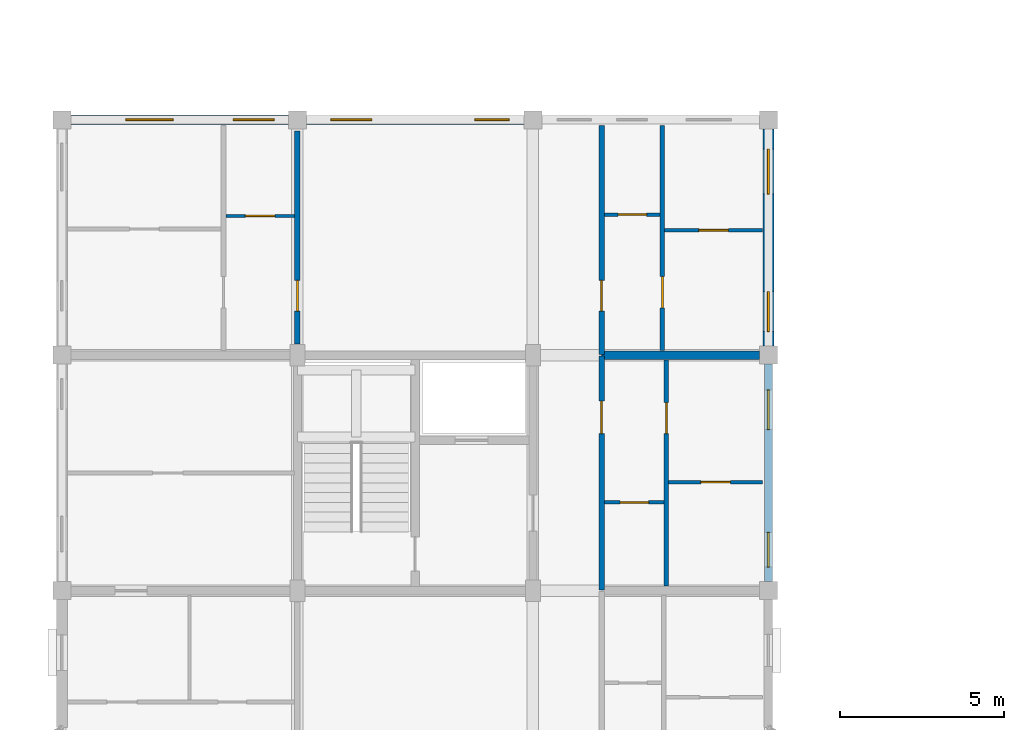
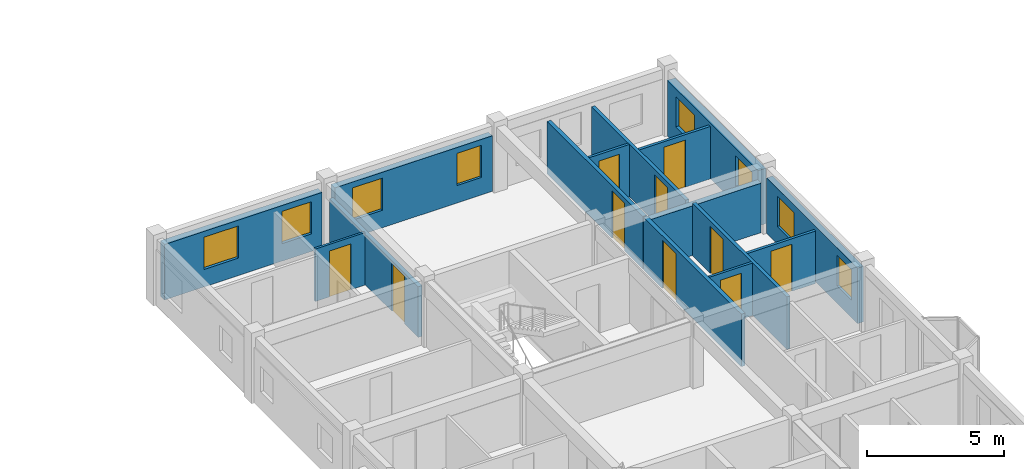
# One storey, part 58 of 77: 15 walls, 10 doors, 8 windows, 18 openings.
"""IFC4 building model written with IfcOpenShell, lengths in metres."""

from ifc_helpers import new_model, si_unit, direction, frame, frame_2d, origin, place, context, subcontext, project, spatial, rectangle, extrude, material, layer, layer_set, type_object, element, fill, save


model = new_model("IFC4")

# Units and contexts
model_context = context("Model", 3, precision=1e-05, world=origin(), true_north=direction((0.0, 1.0)))
body_context = subcontext(model_context, "Body", "Model", "MODEL_VIEW")
ifc_project = project(units=[si_unit("LENGTHUNIT", "METRE"), si_unit("AREAUNIT", "SQUARE_METRE"), si_unit("VOLUMEUNIT", "CUBIC_METRE"), si_unit("PLANEANGLEUNIT", "RADIAN"), si_unit("MASSUNIT", "GRAM", prefix="KILO"), si_unit("THERMODYNAMICTEMPERATUREUNIT", "KELVIN"), si_unit("POWERUNIT", "WATT")], contexts=[model_context])

# Site, building, storey
site_placement = place(None, origin())
site = spatial("IfcSite", under=ifc_project, at=site_placement, CompositionType="ELEMENT")
building_placement = place(site_placement, origin())
building = spatial("IfcBuilding", under=site, at=building_placement, Name="Tavuni Mirador Residences", CompositionType="ELEMENT")
storey_placement = place(building_placement, frame((0.0, 0.0, 10.800048828125)))
storey = spatial("IfcBuildingStorey", under=building, at=storey_placement, Name="L03", CompositionType="ELEMENT", Elevation=10.800048828125)

# Wall, opening, door
ifc_material_1 = material(Name="Precast concrete C40/50", Category="concrete")
ifc_layer_1 = layer(ifc_material_1, 0.1650390625, Name="Precast concrete C40/50", Category="concrete")
ifc_layer_set_1 = layer_set([ifc_layer_1], Name="Precast concrete C40/50")
wall_type_1 = type_object("IfcWallType", Name="WT-CORR165", PredefinedType="PARTITIONING", material=ifc_layer_set_1)
wall_1_placement = place(storey_placement, frame((20.10009765625, 86.419921875, 0.0), z_axis=(0.0, 0.0, 1.0), x_axis=(0.0, 1.0, 0.0)))
wall_1 = element("IfcWall", 1, at=wall_1_placement, inside=storey, type_object=wall_type_1, Name="CORW-BLK-B-L03-0-03", PredefinedType="PARTITIONING", context=body_context, shape_type="SweptSolid", body=[
    extrude(rectangle(XDim=7.16015625, YDim=0.1650390625, at=frame_2d((3.580078125, 0.0))), origin(), (0.0, 0.0, 1.0), 2.344970703125),
])
opening_1_placement = place(wall_1_placement, frame((4.780029296875, 0.0, 0.0)))
opening_1 = element("IfcOpeningElement", 2, at=opening_1_placement, cuts=wall_1, Name="Opening D-03", PredefinedType="OPENING", context=body_context, shape_type="SweptSolid", body=[
    extrude(rectangle(XDim=1.0, YDim=2.14990234375, at=frame_2d((0.5, 1.074951171875))), frame((0.0, 0.092529296875, 0.0), z_axis=(0.0, -1.0, 0.0), x_axis=(1.0, 0.0, 0.0)), (0.0, 0.0, 1.0), 0.18505859375),
])
ifc_material_2 = material(Name="Solid core iroko timber", Category="wood")
door_type_1 = type_object("IfcDoorType", Name="DT-FD60-1000", OperationType="NOTDEFINED", PredefinedType="DOOR", material=ifc_material_2)
door_1_placement = place(opening_1_placement, origin())
door_1 = element("IfcDoor", 3, at=door_1_placement, inside=storey, type_object=door_type_1, Name="DR-2556", OperationType="SINGLE_SWING_LEFT", OverallHeight=2.14990234375, OverallWidth=1.0, PredefinedType="DOOR", context=body_context, shape_type="SweptSolid", body=[
    extrude(rectangle(XDim=1.0, YDim=2.14990234375, at=frame_2d((0.5, 1.074951171875))), frame((0.0, 0.02490234375, 0.0), z_axis=(0.0, -1.0, 0.0), x_axis=(1.0, 0.0, 0.0)), (0.0, 0.0, 1.0), 0.050048828125),
])
fill(opening_1, door_1)

wall_2_placement = place(storey_placement, frame((20.10009765625, 93.6201171875, 0.0), z_axis=(0.0, 0.0, 1.0), x_axis=(0.0, 1.0, 0.0)))
wall_2 = element("IfcWall", 4, at=wall_2_placement, inside=storey, type_object=wall_type_1, Name="CORW-BLK-B-L03-0-04", PredefinedType="PARTITIONING", context=body_context, shape_type="SweptSolid", body=[
    extrude(rectangle(XDim=7.0048828125, YDim=0.1650390625, at=frame_2d((3.50244140625, 0.0))), origin(), (0.0, 0.0, 1.0), 2.344970703125),
])
opening_2_placement = place(wall_2_placement, frame((1.330078125, 0.0, 0.0)))
opening_2 = element("IfcOpeningElement", 5, at=opening_2_placement, cuts=wall_2, Name="Opening D-19", PredefinedType="OPENING", context=body_context, shape_type="SweptSolid", body=[
    extrude(rectangle(XDim=0.93994140625, YDim=2.1201171875, at=frame_2d((0.469970703125, 1.06005859375))), frame((0.0, 0.092529296875, 0.0), z_axis=(0.0, -1.0, 0.0), x_axis=(1.0, 0.0, 0.0)), (0.0, 0.0, 1.0), 0.18505859375),
])
door_type_2 = type_object("IfcDoorType", Name="DT-FD60-940", OperationType="NOTDEFINED", PredefinedType="DOOR", material=ifc_material_2)
door_2_placement = place(opening_2_placement, origin())
door_2 = element("IfcDoor", 6, at=door_2_placement, inside=storey, type_object=door_type_2, Name="DR-2557", OperationType="SINGLE_SWING_RIGHT", OverallHeight=2.1201171875, OverallWidth=0.93994140625, PredefinedType="DOOR", context=body_context, shape_type="SweptSolid", body=[
    extrude(rectangle(XDim=0.93994140625, YDim=2.1201171875, at=frame_2d((0.469970703125, 1.06005859375))), frame((0.0, 0.02490234375, 0.0), z_axis=(0.0, -1.0, 0.0), x_axis=(1.0, 0.0, 0.0)), (0.0, 0.0, 1.0), 0.050048828125),
])
fill(opening_2, door_2)

wall_3_placement = place(storey_placement, frame((10.800048828125, 93.949951171875, 0.0), z_axis=(0.0, 0.0, 1.0), x_axis=(0.0, 1.0, 0.0)))
wall_3 = element("IfcWall", 7, at=wall_3_placement, inside=storey, type_object=wall_type_1, Name="CORW-BLK-B-L03-1-04", PredefinedType="PARTITIONING", context=body_context, shape_type="SweptSolid", body=[
    extrude(rectangle(XDim=6.5, YDim=0.1650390625, at=frame_2d((3.25, 0.0))), origin(), (0.0, 0.0, 1.0), 2.260009765625),
])
opening_3_placement = place(wall_3_placement, frame((1.0, 0.0, 0.0)))
opening_3 = element("IfcOpeningElement", 8, at=opening_3_placement, cuts=wall_3, Name="Opening D-19", PredefinedType="OPENING", context=body_context, shape_type="SweptSolid", body=[
    extrude(rectangle(XDim=0.93994140625, YDim=2.1201171875, at=frame_2d((0.469970703125, 1.06005859375))), frame((0.0, 0.092529296875, 0.0), z_axis=(0.0, -1.0, 0.0), x_axis=(1.0, 0.0, 0.0)), (0.0, 0.0, 1.0), 0.18505859375),
])
door_3_placement = place(opening_3_placement, origin())
door_3 = element("IfcDoor", 9, at=door_3_placement, inside=storey, type_object=door_type_2, Name="DR-2560", OperationType="SINGLE_SWING_LEFT", OverallHeight=2.1201171875, OverallWidth=0.93994140625, PredefinedType="DOOR", context=body_context, shape_type="SweptSolid", body=[
    extrude(rectangle(XDim=0.93994140625, YDim=2.1201171875, at=frame_2d((0.469970703125, 1.06005859375))), frame((0.0, 0.02490234375, 0.0), z_axis=(0.0, -1.0, 0.0), x_axis=(1.0, 0.0, 0.0)), (0.0, 0.0, 1.0), 0.050048828125),
])
fill(opening_3, door_3)

# Wall, openings, windows
ifc_layer_2 = layer(ifc_material_1, 0.330078125, Name="Precast concrete C40/50", Category="concrete")
ifc_layer_set_2 = layer_set([ifc_layer_2], Name="Precast concrete C40/50")
wall_type_2 = type_object("IfcWallType", Name="WT-EXT-COR330", PredefinedType="SOLIDWALL", material=ifc_layer_set_2)
wall_4_placement = place(storey_placement, frame((25.199951171875, 93.875, 0.0), z_axis=(0.0, 0.0, 1.0), x_axis=(0.0, 1.0, 0.0)))
wall_4 = element("IfcWall", 10, at=wall_4_placement, inside=storey, type_object=wall_type_2, Name="EW-BLK-B-L03-E04", PredefinedType="SOLIDWALL", context=body_context, shape_type="SweptSolid", body=[
    extrude(rectangle(XDim=6.64990234375, YDim=0.330078125, at=frame_2d((3.324951171875, 0.0))), origin(), (0.0, 0.0, 1.0), 2.47998046875),
])
opening_4_placement = place(wall_4_placement, frame((0.449951171875, 0.0, 0.780029296875)))
opening_4 = element("IfcOpeningElement", 11, at=opening_4_placement, cuts=wall_4, Name="Opening WN-21", PredefinedType="OPENING", context=body_context, shape_type="SweptSolid", body=[
    extrude(rectangle(XDim=1.219970703125, YDim=1.360107421875, at=frame_2d((0.60986328125, 0.68017578125))), frame((0.0, 0.175048828125, 0.0), z_axis=(0.0, -1.0, 0.0), x_axis=(1.0, 0.0, 0.0)), (0.0, 0.0, 1.0), 0.35009765625),
])
opening_5_placement = place(wall_4_placement, frame((4.64990234375, 0.0, 0.780029296875)))
opening_5 = element("IfcOpeningElement", 12, at=opening_5_placement, cuts=wall_4, Name="Opening WN-23", PredefinedType="OPENING", context=body_context, shape_type="SweptSolid", body=[
    extrude(rectangle(XDim=1.3798828125, YDim=1.360107421875, at=frame_2d((0.68994140625, 0.68017578125))), frame((0.0, 0.175048828125, 0.0), z_axis=(0.0, -1.0, 0.0), x_axis=(1.0, 0.0, 0.0)), (0.0, 0.0, 1.0), 0.35009765625),
])
ifc_material_3 = material(Name="Laminated solar-control glass", Category="glass")
window_type_1 = type_object("IfcWindowType", Name="WNT-21", PartitioningType="SINGLE_PANEL", PredefinedType="WINDOW", material=ifc_material_3)
window_1_placement = place(opening_4_placement, origin())
window_1 = element("IfcWindow", 13, at=window_1_placement, inside=storey, type_object=window_type_1, Name="WIN-0647", OverallHeight=1.360107421875, OverallWidth=1.219970703125, PartitioningType="SINGLE_PANEL", PredefinedType="WINDOW", context=body_context, shape_type="SweptSolid", body=[
    extrude(rectangle(XDim=1.219970703125, YDim=1.360107421875, at=frame_2d((0.60986328125, 0.68017578125))), frame((0.0, 0.030029296875, 0.0), z_axis=(0.0, -1.0, 0.0), x_axis=(1.0, 0.0, 0.0)), (0.0, 0.0, 1.0), 0.06005859375),
])
fill(opening_4, window_1)
window_type_2 = type_object("IfcWindowType", Name="WNT-23", PartitioningType="SINGLE_PANEL", PredefinedType="WINDOW", material=ifc_material_3)
window_2_placement = place(opening_5_placement, origin())
window_2 = element("IfcWindow", 14, at=window_2_placement, inside=storey, type_object=window_type_2, Name="WIN-0648", OverallHeight=1.360107421875, OverallWidth=1.3798828125, PartitioningType="SINGLE_PANEL", PredefinedType="WINDOW", context=body_context, shape_type="SweptSolid", body=[
    extrude(rectangle(XDim=1.3798828125, YDim=1.360107421875, at=frame_2d((0.68994140625, 0.68017578125))), frame((0.0, 0.030029296875, 0.0), z_axis=(0.0, -1.0, 0.0), x_axis=(1.0, 0.0, 0.0)), (0.0, 0.0, 1.0), 0.06005859375),
])
fill(opening_5, window_2)

ifc_material_4 = material(Name="Sgraffito lime-rendered precast concrete C40/50", Category="concrete")
ifc_layer_3 = layer(ifc_material_4, 0.2451171875, Name="Sgraffito lime-rendered precast concrete C40/50", Category="concrete")
ifc_layer_set_3 = layer_set([ifc_layer_3], Name="Sgraffito lime-rendered precast concrete C40/50")
wall_type_3 = type_object("IfcWallType", Name="WT-EXT-PC245", PredefinedType="SOLIDWALL", material=ifc_layer_set_3)
wall_5_placement = place(storey_placement, frame((25.199951171875, 86.675048828125, 0.0), z_axis=(0.0, 0.0, 1.0), x_axis=(0.0, 1.0, 0.0)))
wall_5 = element("IfcWall", 15, at=wall_5_placement, inside=storey, type_object=wall_type_3, Name="EW-BLK-B-L03-E03", PredefinedType="SOLIDWALL", context=body_context, shape_type="SweptSolid", body=[
    extrude(rectangle(XDim=6.64990234375, YDim=0.2451171875, at=frame_2d((3.324951171875, 0.0))), origin(), (0.0, 0.0, 1.0), 2.47998046875),
])
opening_6_placement = place(wall_5_placement, frame((0.449951171875, 0.0, 0.780029296875)))
opening_6 = element("IfcOpeningElement", 16, at=opening_6_placement, cuts=wall_5, Name="Opening WN-19", PredefinedType="OPENING", context=body_context, shape_type="SweptSolid", body=[
    extrude(rectangle(XDim=1.06005859375, YDim=1.360107421875, at=frame_2d((0.530029296875, 0.68017578125))), frame((0.0, 0.132568359375, 0.0), z_axis=(0.0, -1.0, 0.0), x_axis=(1.0, 0.0, 0.0)), (0.0, 0.0, 1.0), 0.26513671875),
])
opening_7_placement = place(wall_5_placement, frame((4.64990234375, 0.0, 0.780029296875)))
opening_7 = element("IfcOpeningElement", 17, at=opening_7_placement, cuts=wall_5, Name="Opening WN-21", PredefinedType="OPENING", context=body_context, shape_type="SweptSolid", body=[
    extrude(rectangle(XDim=1.219970703125, YDim=1.360107421875, at=frame_2d((0.60986328125, 0.68017578125))), frame((0.0, 0.132568359375, 0.0), z_axis=(0.0, -1.0, 0.0), x_axis=(1.0, 0.0, 0.0)), (0.0, 0.0, 1.0), 0.26513671875),
])
window_type_3 = type_object("IfcWindowType", Name="WNT-19", PartitioningType="SINGLE_PANEL", PredefinedType="WINDOW", material=ifc_material_3)
window_3_placement = place(opening_6_placement, origin())
window_3 = element("IfcWindow", 18, at=window_3_placement, inside=storey, type_object=window_type_3, Name="WIN-0645", OverallHeight=1.360107421875, OverallWidth=1.06005859375, PartitioningType="SINGLE_PANEL", PredefinedType="WINDOW", context=body_context, shape_type="SweptSolid", body=[
    extrude(rectangle(XDim=1.06005859375, YDim=1.360107421875, at=frame_2d((0.530029296875, 0.68017578125))), frame((0.0, 0.030029296875, 0.0), z_axis=(0.0, -1.0, 0.0), x_axis=(1.0, 0.0, 0.0)), (0.0, 0.0, 1.0), 0.06005859375),
])
fill(opening_6, window_3)
window_4_placement = place(opening_7_placement, origin())
window_4 = element("IfcWindow", 19, at=window_4_placement, inside=storey, type_object=window_type_1, Name="WIN-0646", OverallHeight=1.360107421875, OverallWidth=1.219970703125, PartitioningType="SINGLE_PANEL", PredefinedType="WINDOW", context=body_context, shape_type="SweptSolid", body=[
    extrude(rectangle(XDim=1.219970703125, YDim=1.360107421875, at=frame_2d((0.60986328125, 0.68017578125))), frame((0.0, 0.030029296875, 0.0), z_axis=(0.0, -1.0, 0.0), x_axis=(1.0, 0.0, 0.0)), (0.0, 0.0, 1.0), 0.06005859375),
])
fill(opening_7, window_4)

ifc_layer_4 = layer(ifc_material_4, 0.27490234375, Name="Sgraffito lime-rendered precast concrete C40/50", Category="concrete")
ifc_layer_set_4 = layer_set([ifc_layer_4], Name="Sgraffito lime-rendered precast concrete C40/50")
wall_type_4 = type_object("IfcWallType", Name="WT-EXT-PC275", PredefinedType="SOLIDWALL", material=ifc_layer_set_4)
wall_6_placement = place(storey_placement, frame((17.72509765625, 100.800048828125, 0.0), z_axis=(0.0, 0.0, 1.0), x_axis=(-1.0, 0.0, 0.0)))
wall_6 = element("IfcWall", 20, at=wall_6_placement, inside=storey, type_object=wall_type_4, Name="EW-BLK-B-L03-N01", PredefinedType="SOLIDWALL", context=body_context, shape_type="SweptSolid", body=[
    extrude(rectangle(XDim=6.650146484375, YDim=0.27490234375, at=frame_2d((3.3251953125, 0.0))), origin(), (0.0, 0.0, 1.0), 2.47998046875),
])
opening_8_placement = place(wall_6_placement, frame((0.449951171875, 0.0, 0.780029296875)))
opening_8 = element("IfcOpeningElement", 21, at=opening_8_placement, cuts=wall_6, Name="Opening WN-26", PredefinedType="OPENING", context=body_context, shape_type="SweptSolid", body=[
    extrude(rectangle(XDim=1.050048828125, YDim=1.43994140625, at=frame_2d((0.52490234375, 0.719970703125))), frame((0.0, 0.1474609375, 0.0), z_axis=(0.0, -1.0, 0.0), x_axis=(1.0, 0.0, 0.0)), (0.0, 0.0, 1.0), 0.294921875),
])
opening_9_placement = place(wall_6_placement, frame((4.64990234375, 0.0, 0.780029296875)))
opening_9 = element("IfcOpeningElement", 22, at=opening_9_placement, cuts=wall_6, Name="Opening WN-28", PredefinedType="OPENING", context=body_context, shape_type="SweptSolid", body=[
    extrude(rectangle(XDim=1.25, YDim=1.43994140625, at=frame_2d((0.625, 0.719970703125))), frame((0.0, 0.1474609375, 0.0), z_axis=(0.0, -1.0, 0.0), x_axis=(1.0, 0.0, 0.0)), (0.0, 0.0, 1.0), 0.294921875),
])
window_type_4 = type_object("IfcWindowType", Name="WNT-26", PartitioningType="SINGLE_PANEL", PredefinedType="WINDOW", material=ifc_material_3)
window_5_placement = place(opening_8_placement, origin())
window_5 = element("IfcWindow", 23, at=window_5_placement, inside=storey, type_object=window_type_4, Name="WIN-0652", OverallHeight=1.43994140625, OverallWidth=1.050048828125, PartitioningType="SINGLE_PANEL", PredefinedType="WINDOW", context=body_context, shape_type="SweptSolid", body=[
    extrude(rectangle(XDim=1.050048828125, YDim=1.43994140625, at=frame_2d((0.52490234375, 0.719970703125))), frame((0.0, 0.030029296875, 0.0), z_axis=(0.0, -1.0, 0.0), x_axis=(1.0, 0.0, 0.0)), (0.0, 0.0, 1.0), 0.06005859375),
])
fill(opening_8, window_5)
window_type_5 = type_object("IfcWindowType", Name="WNT-28", PartitioningType="SINGLE_PANEL", PredefinedType="WINDOW", material=ifc_material_3)
window_6_placement = place(opening_9_placement, origin())
window_6 = element("IfcWindow", 24, at=window_6_placement, inside=storey, type_object=window_type_5, Name="WIN-0653", OverallHeight=1.43994140625, OverallWidth=1.25, PartitioningType="SINGLE_PANEL", PredefinedType="WINDOW", context=body_context, shape_type="SweptSolid", body=[
    extrude(rectangle(XDim=1.25, YDim=1.43994140625, at=frame_2d((0.625, 0.719970703125))), frame((0.0, 0.030029296875, 0.0), z_axis=(0.0, -1.0, 0.0), x_axis=(1.0, 0.0, 0.0)), (0.0, 0.0, 1.0), 0.06005859375),
])
fill(opening_9, window_6)

ifc_layer_5 = layer(ifc_material_4, 0.2900390625, Name="Sgraffito lime-rendered precast concrete C40/50", Category="concrete")
ifc_layer_set_5 = layer_set([ifc_layer_5], Name="Sgraffito lime-rendered precast concrete C40/50")
wall_type_5 = type_object("IfcWallType", Name="WT-EXT-PC290", PredefinedType="SOLIDWALL", material=ifc_layer_set_5)
wall_7_placement = place(storey_placement, frame((10.52490234375, 100.800048828125, 0.0), z_axis=(0.0, 0.0, 1.0), x_axis=(-1.0, 0.0, 0.0)))
wall_7 = element("IfcWall", 25, at=wall_7_placement, inside=storey, type_object=wall_type_5, Name="EW-BLK-B-L03-N00", PredefinedType="SOLIDWALL", context=body_context, shape_type="SweptSolid", body=[
    extrude(rectangle(XDim=6.64990234375, YDim=0.2900390625, at=frame_2d((3.324951171875, 0.0))), origin(), (0.0, 0.0, 1.0), 2.47998046875),
])
opening_10_placement = place(wall_7_placement, frame((0.4375, 0.0, 0.780029296875)))
opening_10 = element("IfcOpeningElement", 26, at=opening_10_placement, cuts=wall_7, Name="Opening WN-28", PredefinedType="OPENING", context=body_context, shape_type="SweptSolid", body=[
    extrude(rectangle(XDim=1.25, YDim=1.43994140625, at=frame_2d((0.625, 0.719970703125))), frame((0.0, 0.155029296875, 0.0), z_axis=(0.0, -1.0, 0.0), x_axis=(1.0, 0.0, 0.0)), (0.0, 0.0, 1.0), 0.31005859375),
])
opening_11_placement = place(wall_7_placement, frame((3.5224609375, 0.0, 0.780029296875)))
opening_11 = element("IfcOpeningElement", 27, at=opening_11_placement, cuts=wall_7, Name="Opening WN-30", PredefinedType="OPENING", context=body_context, shape_type="SweptSolid", body=[
    extrude(rectangle(XDim=1.449951171875, YDim=1.43994140625, at=frame_2d((0.72509765625, 0.719970703125))), frame((0.0, 0.155029296875, 0.0), z_axis=(0.0, -1.0, 0.0), x_axis=(1.0, 0.0, 0.0)), (0.0, 0.0, 1.0), 0.31005859375),
])
window_7_placement = place(opening_10_placement, origin())
window_7 = element("IfcWindow", 28, at=window_7_placement, inside=storey, type_object=window_type_5, Name="WIN-0654", OverallHeight=1.43994140625, OverallWidth=1.25, PartitioningType="SINGLE_PANEL", PredefinedType="WINDOW", context=body_context, shape_type="SweptSolid", body=[
    extrude(rectangle(XDim=1.25, YDim=1.43994140625, at=frame_2d((0.625, 0.719970703125))), frame((0.0, 0.030029296875, 0.0), z_axis=(0.0, -1.0, 0.0), x_axis=(1.0, 0.0, 0.0)), (0.0, 0.0, 1.0), 0.06005859375),
])
fill(opening_10, window_7)
window_type_6 = type_object("IfcWindowType", Name="WNT-30", PartitioningType="SINGLE_PANEL", PredefinedType="WINDOW", material=ifc_material_3)
window_8_placement = place(opening_11_placement, origin())
window_8 = element("IfcWindow", 29, at=window_8_placement, inside=storey, type_object=window_type_6, Name="WIN-0655", OverallHeight=1.43994140625, OverallWidth=1.449951171875, PartitioningType="SINGLE_PANEL", PredefinedType="WINDOW", context=body_context, shape_type="SweptSolid", body=[
    extrude(rectangle(XDim=1.449951171875, YDim=1.43994140625, at=frame_2d((0.72509765625, 0.719970703125))), frame((0.0, 0.030029296875, 0.0), z_axis=(0.0, -1.0, 0.0), x_axis=(1.0, 0.0, 0.0)), (0.0, 0.0, 1.0), 0.06005859375),
])
fill(opening_11, window_8)

# Wall, opening, door
ifc_material_5 = material(Name="Acoustic gypsum and concrete block partition", Category="concrete")
ifc_layer_6 = layer(ifc_material_5, 0.094970703125, Name="Acoustic gypsum and concrete block partition", Category="concrete")
ifc_layer_set_6 = layer_set([ifc_layer_6], Name="Acoustic gypsum and concrete block partition")
wall_type_6 = type_object("IfcWallType", Name="WT-PART095", PredefinedType="PARTITIONING", material=ifc_layer_set_6)
wall_8_placement = place(storey_placement, frame((8.610107421875, 97.860107421875, 0.0), z_axis=(0.0, 0.0, 1.0), x_axis=(1.0, 0.0, 0.0)))
wall_8 = element("IfcWall", 30, at=wall_8_placement, inside=storey, type_object=wall_type_6, Name="PW-BLK-B-L03-W04-IN1", PredefinedType="PARTITIONING", context=body_context, shape_type="SweptSolid", body=[
    extrude(rectangle(XDim=2.099853515625, YDim=0.094970703125, at=frame_2d((1.0498046875, 0.0))), origin(), (0.0, 0.0, 1.0), 2.344970703125),
])
opening_12_placement = place(wall_8_placement, frame((0.60009765625, 0.0, 0.0)))
opening_12 = element("IfcOpeningElement", 31, at=opening_12_placement, cuts=wall_8, Name="Opening D-09", PredefinedType="OPENING", context=body_context, shape_type="SweptSolid", body=[
    extrude(rectangle(XDim=0.89990234375, YDim=2.050048828125, at=frame_2d((0.449951171875, 1.02490234375))), frame((0.0, 0.0576171875, 0.0), z_axis=(0.0, -1.0, 0.0), x_axis=(1.0, 0.0, 0.0)), (0.0, 0.0, 1.0), 0.114990234375),
])
door_type_3 = type_object("IfcDoorType", Name="DT-WC900", OperationType="NOTDEFINED", PredefinedType="DOOR", material=ifc_material_2)
door_4_placement = place(opening_12_placement, origin())
door_4 = element("IfcDoor", 32, at=door_4_placement, inside=storey, type_object=door_type_3, Name="DR-3522", OperationType="SINGLE_SWING_RIGHT", OverallHeight=2.050048828125, OverallWidth=0.89990234375, PredefinedType="DOOR", context=body_context, shape_type="SweptSolid", body=[
    extrude(rectangle(XDim=0.89990234375, YDim=2.050048828125, at=frame_2d((0.449951171875, 1.02490234375))), frame((0.0, 0.02490234375, 0.0), z_axis=(0.0, -1.0, 0.0), x_axis=(1.0, 0.0, 0.0)), (0.0, 0.0, 1.0), 0.050048828125),
])
fill(opening_12, door_4)

ifc_layer_7 = layer(ifc_material_5, 0.10498046875, Name="Acoustic gypsum and concrete block partition", Category="concrete")
ifc_layer_set_7 = layer_set([ifc_layer_7], Name="Acoustic gypsum and concrete block partition")
wall_type_7 = type_object("IfcWallType", Name="WT-PART105", PredefinedType="PARTITIONING", material=ifc_layer_set_7)
wall_9_placement = place(storey_placement, frame((20.18994140625, 89.10009765625, 0.0), z_axis=(0.0, 0.0, 1.0), x_axis=(1.0, 0.0, 0.0)))
wall_9 = element("IfcWall", 33, at=wall_9_placement, inside=storey, type_object=wall_type_7, Name="PW-BLK-B-L03-E03-IN1", PredefinedType="PARTITIONING", context=body_context, shape_type="SweptSolid", body=[
    extrude(rectangle(XDim=1.820068359375, YDim=0.10498046875, at=frame_2d((0.91015625, 0.0))), origin(), (0.0, 0.0, 1.0), 2.344970703125),
])
opening_13_placement = place(wall_9_placement, frame((0.47509765625, 0.0, 0.0)))
opening_13 = element("IfcOpeningElement", 34, at=opening_13_placement, cuts=wall_9, Name="Opening D-10", PredefinedType="OPENING", context=body_context, shape_type="SweptSolid", body=[
    extrude(rectangle(XDim=0.8701171875, YDim=2.050048828125, at=frame_2d((0.43505859375, 1.02490234375))), frame((0.0, 0.0625, 0.0), z_axis=(0.0, -1.0, 0.0), x_axis=(1.0, 0.0, 0.0)), (0.0, 0.0, 1.0), 0.125),
])
door_type_4 = type_object("IfcDoorType", Name="DT-WC870", OperationType="NOTDEFINED", PredefinedType="DOOR", material=ifc_material_2)
door_5_placement = place(opening_13_placement, origin())
door_5 = element("IfcDoor", 35, at=door_5_placement, inside=storey, type_object=door_type_4, Name="DR-3519", OperationType="SINGLE_SWING_RIGHT", OverallHeight=2.050048828125, OverallWidth=0.8701171875, PredefinedType="DOOR", context=body_context, shape_type="SweptSolid", body=[
    extrude(rectangle(XDim=0.8701171875, YDim=2.050048828125, at=frame_2d((0.43505859375, 1.02490234375))), frame((0.0, 0.02490234375, 0.0), z_axis=(0.0, -1.0, 0.0), x_axis=(1.0, 0.0, 0.0)), (0.0, 0.0, 1.0), 0.050048828125),
])
fill(opening_13, door_5)

wall_10_placement = place(storey_placement, frame((20.18994140625, 97.89990234375, 0.0), z_axis=(0.0, 0.0, 1.0), x_axis=(1.0, 0.0, 0.0)))
wall_10 = element("IfcWall", 36, at=wall_10_placement, inside=storey, type_object=wall_type_7, Name="PW-BLK-B-L03-E04-IN1", PredefinedType="PARTITIONING", context=body_context, shape_type="SweptSolid", body=[
    extrude(rectangle(XDim=1.699951171875, YDim=0.10498046875, at=frame_2d((0.85009765625, 0.0))), origin(), (0.0, 0.0, 1.0), 2.344970703125),
])
opening_14_placement = place(wall_10_placement, frame((0.4150390625, 0.0, 0.0)))
opening_14 = element("IfcOpeningElement", 37, at=opening_14_placement, cuts=wall_10, Name="Opening D-10", PredefinedType="OPENING", context=body_context, shape_type="SweptSolid", body=[
    extrude(rectangle(XDim=0.8701171875, YDim=2.050048828125, at=frame_2d((0.43505859375, 1.02490234375))), frame((0.0, 0.0625, 0.0), z_axis=(0.0, -1.0, 0.0), x_axis=(1.0, 0.0, 0.0)), (0.0, 0.0, 1.0), 0.125),
])
door_6_placement = place(opening_14_placement, origin())
door_6 = element("IfcDoor", 38, at=door_6_placement, inside=storey, type_object=door_type_4, Name="DR-3525", OperationType="SINGLE_SWING_RIGHT", OverallHeight=2.050048828125, OverallWidth=0.8701171875, PredefinedType="DOOR", context=body_context, shape_type="SweptSolid", body=[
    extrude(rectangle(XDim=0.8701171875, YDim=2.050048828125, at=frame_2d((0.43505859375, 1.02490234375))), frame((0.0, 0.02490234375, 0.0), z_axis=(0.0, -1.0, 0.0), x_axis=(1.0, 0.0, 0.0)), (0.0, 0.0, 1.0), 0.050048828125),
])
fill(opening_14, door_6)

ifc_layer_8 = layer(ifc_material_5, 0.114990234375, Name="Acoustic gypsum and concrete block partition", Category="concrete")
ifc_layer_set_8 = layer_set([ifc_layer_8], Name="Acoustic gypsum and concrete block partition")
wall_type_8 = type_object("IfcWallType", Name="WT-PART115", PredefinedType="PARTITIONING", material=ifc_layer_set_8)
wall_11_placement = place(storey_placement, frame((22.14990234375, 89.719970703125, 0.0), z_axis=(0.0, 0.0, 1.0), x_axis=(1.0, 0.0, 0.0)))
wall_11 = element("IfcWall", 39, at=wall_11_placement, inside=storey, type_object=wall_type_8, Name="PW-BLK-B-L03-E03-OUT", PredefinedType="PARTITIONING", context=body_context, shape_type="SweptSolid", body=[
    extrude(rectangle(XDim=2.875, YDim=0.114990234375, at=frame_2d((1.4375, 0.0))), origin(), (0.0, 0.0, 1.0), 2.344970703125),
])
opening_15_placement = place(wall_11_placement, frame((0.987548828125, 0.0, 0.0)))
opening_15 = element("IfcOpeningElement", 40, at=opening_15_placement, cuts=wall_11, Name="Opening D-07", PredefinedType="OPENING", context=body_context, shape_type="SweptSolid", body=[
    extrude(rectangle(XDim=0.89990234375, YDim=2.10009765625, at=frame_2d((0.449951171875, 1.050048828125))), frame((0.0, 0.0673828125, 0.0), z_axis=(0.0, -1.0, 0.0), x_axis=(1.0, 0.0, 0.0)), (0.0, 0.0, 1.0), 0.135009765625),
])
door_type_5 = type_object("IfcDoorType", Name="DT-BED900", OperationType="NOTDEFINED", PredefinedType="DOOR", material=ifc_material_2)
door_7_placement = place(opening_15_placement, origin())
door_7 = element("IfcDoor", 41, at=door_7_placement, inside=storey, type_object=door_type_5, Name="DR-3518", OperationType="SINGLE_SWING_LEFT", OverallHeight=2.10009765625, OverallWidth=0.89990234375, PredefinedType="DOOR", context=body_context, shape_type="SweptSolid", body=[
    extrude(rectangle(XDim=0.89990234375, YDim=2.10009765625, at=frame_2d((0.449951171875, 1.050048828125))), frame((0.0, 0.02490234375, 0.0), z_axis=(0.0, -1.0, 0.0), x_axis=(1.0, 0.0, 0.0)), (0.0, 0.0, 1.0), 0.050048828125),
])
fill(opening_15, door_7)

wall_12_placement = place(storey_placement, frame((22.030029296875, 97.419921875, 0.0), z_axis=(0.0, 0.0, 1.0), x_axis=(1.0, 0.0, 0.0)))
wall_12 = element("IfcWall", 42, at=wall_12_placement, inside=storey, type_object=wall_type_8, Name="PW-BLK-B-L03-E04-OUT", PredefinedType="PARTITIONING", context=body_context, shape_type="SweptSolid", body=[
    extrude(rectangle(XDim=2.994873046875, YDim=0.114990234375, at=frame_2d((1.49755859375, 0.0))), origin(), (0.0, 0.0, 1.0), 2.344970703125),
])
opening_16_placement = place(wall_12_placement, frame((1.047607421875, 0.0, 0.0)))
opening_16 = element("IfcOpeningElement", 43, at=opening_16_placement, cuts=wall_12, Name="Opening D-07", PredefinedType="OPENING", context=body_context, shape_type="SweptSolid", body=[
    extrude(rectangle(XDim=0.89990234375, YDim=2.10009765625, at=frame_2d((0.449951171875, 1.050048828125))), frame((0.0, 0.0673828125, 0.0), z_axis=(0.0, -1.0, 0.0), x_axis=(1.0, 0.0, 0.0)), (0.0, 0.0, 1.0), 0.135009765625),
])
door_8_placement = place(opening_16_placement, origin())
door_8 = element("IfcDoor", 44, at=door_8_placement, inside=storey, type_object=door_type_5, Name="DR-3524", OperationType="SINGLE_SWING_LEFT", OverallHeight=2.10009765625, OverallWidth=0.89990234375, PredefinedType="DOOR", context=body_context, shape_type="SweptSolid", body=[
    extrude(rectangle(XDim=0.89990234375, YDim=2.10009765625, at=frame_2d((0.449951171875, 1.050048828125))), frame((0.0, 0.02490234375, 0.0), z_axis=(0.0, -1.0, 0.0), x_axis=(1.0, 0.0, 0.0)), (0.0, 0.0, 1.0), 0.050048828125),
])
fill(opening_16, door_8)

ifc_layer_9 = layer(ifc_material_5, 0.139892578125, Name="Acoustic gypsum and concrete block partition", Category="concrete")
ifc_layer_set_9 = layer_set([ifc_layer_9], Name="Acoustic gypsum and concrete block partition")
wall_type_9 = type_object("IfcWallType", Name="WT-PART140", PredefinedType="PARTITIONING", material=ifc_layer_set_9)
wall_13_placement = place(storey_placement, frame((22.080078125, 86.5400390625, 0.0), z_axis=(0.0, 0.0, 1.0), x_axis=(0.0, 1.0, 0.0)))
wall_13 = element("IfcWall", 45, at=wall_13_placement, inside=storey, type_object=wall_type_9, Name="PW-BLK-B-L03-E03-MID", PredefinedType="PARTITIONING", context=body_context, shape_type="SweptSolid", body=[
    extrude(rectangle(XDim=6.919921875, YDim=0.139892578125, at=frame_2d((3.4599609375, 0.0))), origin(), (0.0, 0.0, 1.0), 2.344970703125),
])
opening_17_placement = place(wall_13_placement, frame((4.659912109375, 0.0, 0.0)))
opening_17 = element("IfcOpeningElement", 46, at=opening_17_placement, cuts=wall_13, Name="Opening D-05", PredefinedType="OPENING", context=body_context, shape_type="SweptSolid", body=[
    extrude(rectangle(XDim=0.949951171875, YDim=2.10009765625, at=frame_2d((0.47509765625, 1.050048828125))), frame((0.0, 0.080078125, 0.0), z_axis=(0.0, -1.0, 0.0), x_axis=(1.0, 0.0, 0.0)), (0.0, 0.0, 1.0), 0.159912109375),
])
door_type_6 = type_object("IfcDoorType", Name="DT-INT950", OperationType="NOTDEFINED", PredefinedType="DOOR", material=ifc_material_2)
door_9_placement = place(opening_17_placement, origin())
door_9 = element("IfcDoor", 47, at=door_9_placement, inside=storey, type_object=door_type_6, Name="DR-3520", OperationType="SINGLE_SWING_LEFT", OverallHeight=2.10009765625, OverallWidth=0.949951171875, PredefinedType="DOOR", context=body_context, shape_type="SweptSolid", body=[
    extrude(rectangle(XDim=0.949951171875, YDim=2.10009765625, at=frame_2d((0.47509765625, 1.050048828125))), frame((0.0, 0.02490234375, 0.0), z_axis=(0.0, -1.0, 0.0), x_axis=(1.0, 0.0, 0.0)), (0.0, 0.0, 1.0), 0.050048828125),
])
fill(opening_17, door_9)

wall_14_placement = place(storey_placement, frame((21.9599609375, 93.739990234375, 0.0), z_axis=(0.0, 0.0, 1.0), x_axis=(0.0, 1.0, 0.0)))
wall_14 = element("IfcWall", 48, at=wall_14_placement, inside=storey, type_object=wall_type_9, Name="PW-BLK-B-L03-E04-MID", PredefinedType="PARTITIONING", context=body_context, shape_type="SweptSolid", body=[
    extrude(rectangle(XDim=6.885009765625, YDim=0.139892578125, at=frame_2d((3.4423828125, 0.0))), origin(), (0.0, 0.0, 1.0), 2.344970703125),
])
opening_18_placement = place(wall_14_placement, frame((1.31005859375, 0.0, 0.0)))
opening_18 = element("IfcOpeningElement", 49, at=opening_18_placement, cuts=wall_14, Name="Opening D-05", PredefinedType="OPENING", context=body_context, shape_type="SweptSolid", body=[
    extrude(rectangle(XDim=0.949951171875, YDim=2.10009765625, at=frame_2d((0.47509765625, 1.050048828125))), frame((0.0, 0.080078125, 0.0), z_axis=(0.0, -1.0, 0.0), x_axis=(1.0, 0.0, 0.0)), (0.0, 0.0, 1.0), 0.159912109375),
])
door_10_placement = place(opening_18_placement, origin())
door_10 = element("IfcDoor", 50, at=door_10_placement, inside=storey, type_object=door_type_6, Name="DR-3526", OperationType="SINGLE_SWING_LEFT", OverallHeight=2.10009765625, OverallWidth=0.949951171875, PredefinedType="DOOR", context=body_context, shape_type="SweptSolid", body=[
    extrude(rectangle(XDim=0.949951171875, YDim=2.10009765625, at=frame_2d((0.47509765625, 1.050048828125))), frame((0.0, 0.02490234375, 0.0), z_axis=(0.0, -1.0, 0.0), x_axis=(1.0, 0.0, 0.0)), (0.0, 0.0, 1.0), 0.050048828125),
])
fill(opening_18, door_10)

# Wall
ifc_layer_10 = layer(ifc_material_1, 0.264892578125, Name="Precast concrete C40/50", Category="concrete")
ifc_layer_set_10 = layer_set([ifc_layer_10], Name="Precast concrete C40/50")
wall_type_10 = type_object("IfcWallType", Name="WT-XW265", PredefinedType="SOLIDWALL", material=ifc_layer_set_10)
wall_15_placement = place(storey_placement, frame((20.10009765625, 93.60009765625, 0.0), z_axis=(0.0, 0.0, 1.0), x_axis=(1.0, 0.0, 0.0)))
element("IfcWall", 51, at=wall_15_placement, inside=storey, type_object=wall_type_10, Name="XW-BLK-B-L03-E-04", PredefinedType="SOLIDWALL", context=body_context, shape_type="SweptSolid", body=[
    extrude(rectangle(XDim=4.824951171875, YDim=0.264892578125, at=frame_2d((2.41259765625, 0.0))), origin(), (0.0, 0.0, 1.0), 2.2099609375),
])

save(model, "model.ifc")
